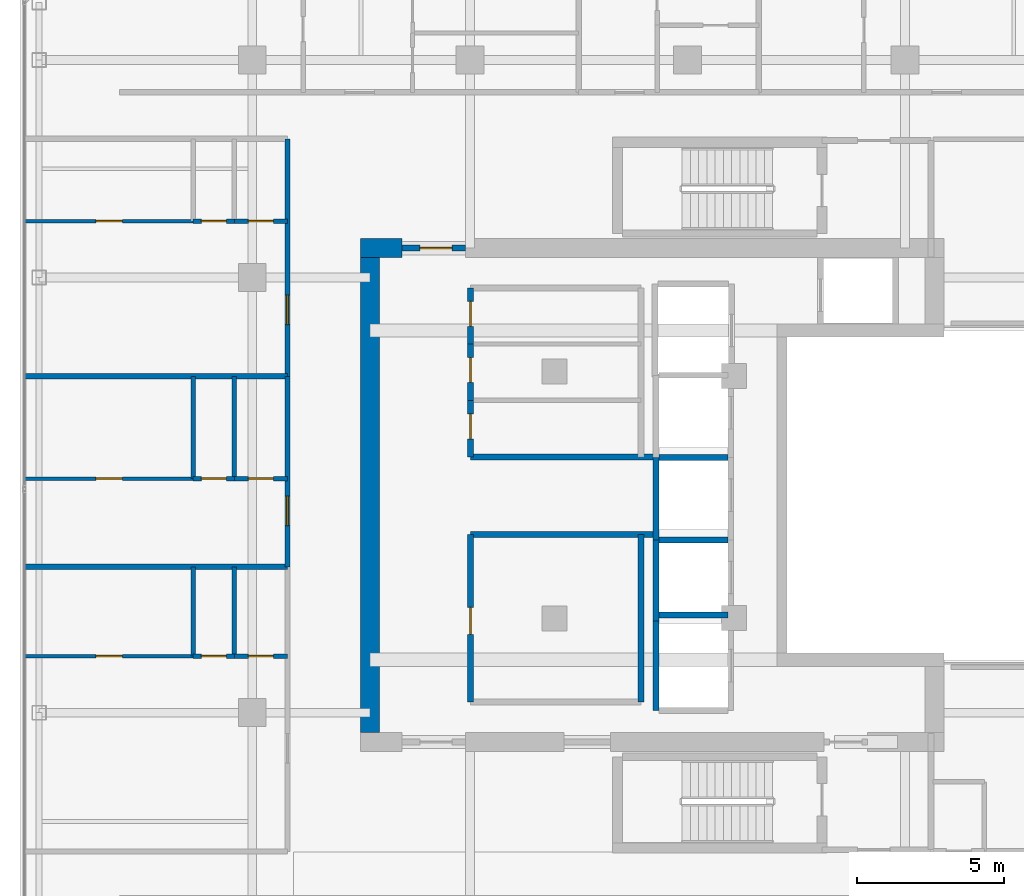
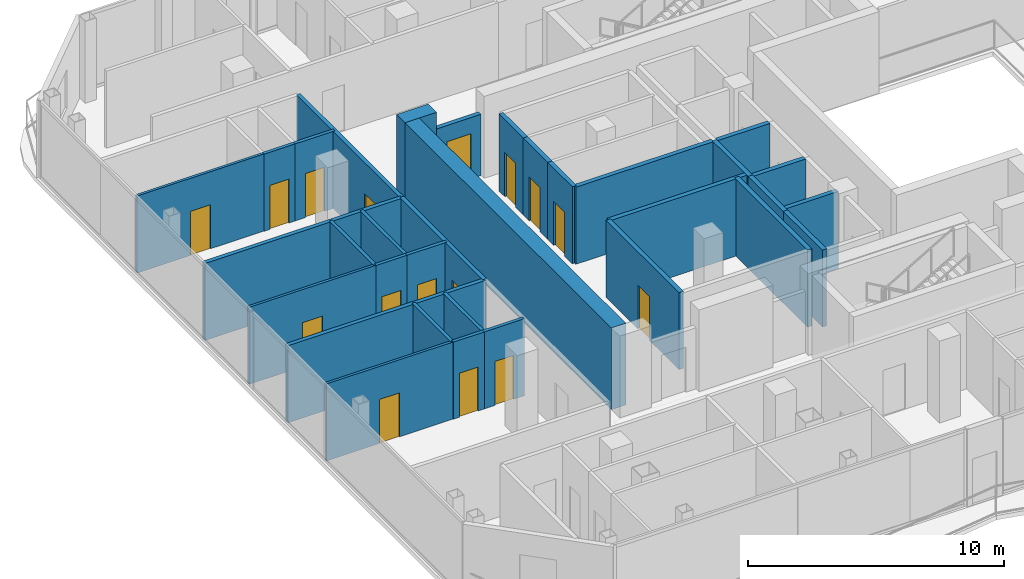
# One storey, part 17 of 23: 33 walls, 16 doors, 16 openings.
"""IFC4 building model written with IfcOpenShell, lengths in metres."""

from ifc_helpers import new_model, si_unit, direction, frame, frame_2d, origin, place, context, subcontext, project, spatial, rectangle, extrude, material, layer, layer_set, type_object, element, fill, save


model = new_model("IFC4")

# Units and contexts
model_context = context("Model", 3, precision=1e-05, world=origin(), true_north=direction((0.0, 1.0)))
body_context = subcontext(model_context, "Body", "Model", "MODEL_VIEW")
ifc_project = project(units=[si_unit("LENGTHUNIT", "METRE"), si_unit("AREAUNIT", "SQUARE_METRE"), si_unit("VOLUMEUNIT", "CUBIC_METRE"), si_unit("PLANEANGLEUNIT", "RADIAN"), si_unit("MASSUNIT", "GRAM", prefix="KILO")], contexts=[model_context])

# Site, building, storey
site_placement = place(None, origin())
site = spatial("IfcSite", under=ifc_project, at=site_placement, CompositionType="ELEMENT")
building_placement = place(site_placement, origin())
building = spatial("IfcBuilding", under=site, at=building_placement, Name="Khorvyn Point Tower", CompositionType="ELEMENT")
storey_placement = place(building_placement, frame((0.0, 0.0, 293.699951171875)))
storey = spatial("IfcBuildingStorey", under=building, at=storey_placement, Name="L72", CompositionType="ELEMENT", Elevation=293.699951171875)

# Wall, opening, door
ifc_material_1 = material(Name="Double acoustic gypsum on twin steel stud", Category="steel")
ifc_layer_1 = layer(ifc_material_1, 0.179931640625)
ifc_layer_set_1 = layer_set([ifc_layer_1], Name="Acoustic Double-Stud Apartment Demising Wall 180")
wall_type_1 = type_object("IfcWallType", Name="Acoustic Double-Stud Apartment Demising Wall 180", PredefinedType="PARTITIONING", material=ifc_layer_set_1)
wall_1_placement = place(storey_placement, frame((-13.60009765625, -2.43994140625, 0.0), z_axis=(0.0, 0.0, 1.0), x_axis=(0.0, 1.0, 0.0)))
wall_1 = element("IfcWall", 1, at=wall_1_placement, inside=storey, type_object=wall_type_1, Name="Wall", PredefinedType="PARTITIONING", context=body_context, shape_type="SweptSolid", body=[
    extrude(rectangle(XDim=6.47998046875, YDim=0.179931640625, at=frame_2d((3.239990234375, 0.0))), origin(), (0.0, 0.0, 1.0), 3.679931640625),
])
opening_1_placement = place(wall_1_placement, frame((1.405517578125, 0.0, 0.0)))
opening_1 = element("IfcOpeningElement", 2, at=opening_1_placement, cuts=wall_1, Name="Opening ID-AP60", PredefinedType="OPENING", context=body_context, shape_type="SweptSolid", body=[
    extrude(rectangle(XDim=1.0, YDim=2.199951171875, at=frame_2d((0.5, 1.10009765625))), frame((0.0, 0.099853515625, 0.0), z_axis=(0.0, -1.0, 0.0), x_axis=(1.0, 0.0, 0.0)), (0.0, 0.0, 1.0), 0.199951171875),
])
ifc_material_2 = material(Name="Engineered hardwood fire-rated leaf", Category="wood")
door_type_1 = type_object("IfcDoorType", Name="Acoustic Solid-Core Timber Apartment Entrance Door 1000x2200", OperationType="NOTDEFINED", PredefinedType="DOOR", material=ifc_material_2)
door_1_placement = place(opening_1_placement, origin())
door_1 = element("IfcDoor", 3, at=door_1_placement, inside=storey, type_object=door_type_1, Name="Door", OperationType="SINGLE_SWING_RIGHT", OverallHeight=2.199951171875, OverallWidth=1.0, PredefinedType="DOOR", context=body_context, shape_type="SweptSolid", body=[
    extrude(rectangle(XDim=1.0, YDim=2.199951171875, at=frame_2d((0.5, 1.10009765625))), frame((0.0, 0.02490234375, 0.0), z_axis=(0.0, -1.0, 0.0), x_axis=(1.0, 0.0, 0.0)), (0.0, 0.0, 1.0), 0.050048828125),
])
fill(opening_1, door_1)

wall_2_placement = place(storey_placement, frame((-13.60009765625, 4.0400390625, 0.0), z_axis=(0.0, 0.0, 1.0), x_axis=(0.0, 1.0, 0.0)))
wall_2 = element("IfcWall", 4, at=wall_2_placement, inside=storey, type_object=wall_type_1, Name="Wall", PredefinedType="PARTITIONING", context=body_context, shape_type="SweptSolid", body=[
    extrude(rectangle(XDim=8.080078125, YDim=0.179931640625, at=frame_2d((4.0400390625, 0.0))), origin(), (0.0, 0.0, 1.0), 3.679931640625),
])
opening_2_placement = place(wall_2_placement, frame((1.760986328125, 0.0, 0.0)))
opening_2 = element("IfcOpeningElement", 5, at=opening_2_placement, cuts=wall_2, Name="Opening ID-AP60", PredefinedType="OPENING", context=body_context, shape_type="SweptSolid", body=[
    extrude(rectangle(XDim=1.0, YDim=2.199951171875, at=frame_2d((0.5, 1.10009765625))), frame((0.0, 0.099853515625, 0.0), z_axis=(0.0, -1.0, 0.0), x_axis=(1.0, 0.0, 0.0)), (0.0, 0.0, 1.0), 0.199951171875),
])
door_2_placement = place(opening_2_placement, origin())
door_2 = element("IfcDoor", 6, at=door_2_placement, inside=storey, type_object=door_type_1, Name="Door", OperationType="SINGLE_SWING_RIGHT", OverallHeight=2.199951171875, OverallWidth=1.0, PredefinedType="DOOR", context=body_context, shape_type="SweptSolid", body=[
    extrude(rectangle(XDim=1.0, YDim=2.199951171875, at=frame_2d((0.5, 1.10009765625))), frame((0.0, 0.02490234375, 0.0), z_axis=(0.0, -1.0, 0.0), x_axis=(1.0, 0.0, 0.0)), (0.0, 0.0, 1.0), 0.050048828125),
])
fill(opening_2, door_2)

# Walls
for number, where, z_axis, x_axis, name in (
    (7, (-22.530029296875, -2.43994140625, 0.0), (0.0, 0.0, 1.0), (1.0, 0.0, 0.0), "Wall"),
    (8, (-22.530029296875, 4.0400390625, 0.0), (0.0, 0.0, 1.0), (1.0, 0.0, 0.0), "Wall"),
):
    element("IfcWall", number, at=place(storey_placement, frame(where, z_axis=z_axis, x_axis=x_axis)), inside=storey, type_object=wall_type_1, Name=name, PredefinedType="PARTITIONING", context=body_context, shape_type="SweptSolid", body=[
        extrude(rectangle(XDim=8.929931640625, YDim=0.179931640625, at=frame_2d((4.46484375, 0.0))), origin(), (0.0, 0.0, 1.0), 3.679931640625),
    ])
ifc_material_3 = material(Name="Concrete C40/50", Category="concrete")
ifc_layer_2 = layer(ifc_material_3, 0.64990234375)
ifc_layer_set_2 = layer_set([ifc_layer_2], Name="Concrete C40/50 Core Shear Wall 650")
wall_type_2 = type_object("IfcWallType", Name="Concrete C40/50 Core Shear Wall 650", PredefinedType="SHEAR", material=ifc_layer_set_2)
wall_3_placement = place(storey_placement, frame((-11.125, 8.39990234375, 0.0), z_axis=(0.0, 0.0, 1.0), x_axis=(1.0, 0.0, 0.0)))
element("IfcWall", 9, at=wall_3_placement, inside=storey, type_object=wall_type_2, Name="Wall", PredefinedType="SHEAR", context=body_context, shape_type="SweptSolid", body=[
    extrude(rectangle(XDim=1.425048828125, YDim=0.64990234375, at=frame_2d((0.71240234375, 0.0))), origin(), (0.0, 0.0, 1.0), 3.900146484375),
])
wall_4_placement = place(storey_placement, frame((-10.800048828125, -8.074951171875, 0.0), z_axis=(0.0, 0.0, 1.0), x_axis=(0.0, 1.0, 0.0)))
element("IfcWall", 10, at=wall_4_placement, inside=storey, type_object=wall_type_2, Name="Wall", PredefinedType="SHEAR", context=body_context, shape_type="SweptSolid", body=[
    extrude(rectangle(XDim=16.14990234375, YDim=0.64990234375, at=frame_2d((8.074951171875, 0.0))), origin(), (0.0, 0.0, 1.0), 3.900146484375),
])

# Wall, opening, door
ifc_layer_3 = layer(ifc_material_3, 0.199951171875)
ifc_layer_set_3 = layer_set([ifc_layer_3], Name="Concrete C40/50 Fire-Lobby Compartment Wall 200")
wall_type_3 = type_object("IfcWallType", Name="Concrete C40/50 Fire-Lobby Compartment Wall 200", PredefinedType="SOLIDWALL", material=ifc_layer_set_3)
wall_5_placement = place(storey_placement, frame((-9.699951171875, 8.39990234375, 0.0), z_axis=(0.0, 0.0, 1.0), x_axis=(1.0, 0.0, 0.0)))
wall_5 = element("IfcWall", 11, at=wall_5_placement, inside=storey, type_object=wall_type_3, Name="Wall", PredefinedType="SOLIDWALL", context=body_context, shape_type="SweptSolid", body=[
    extrude(rectangle(XDim=2.14990234375, YDim=0.199951171875, at=frame_2d((1.074951171875, 0.0))), origin(), (0.0, 0.0, 1.0), 2.920166015625),
])
opening_3_placement = place(wall_5_placement, frame((0.597900390625, 0.0, 0.0)))
opening_3 = element("IfcOpeningElement", 12, at=opening_3_placement, cuts=wall_5, Name="Opening ID-FL90", PredefinedType="OPENING", context=body_context, shape_type="SweptSolid", body=[
    extrude(rectangle(XDim=1.10009765625, YDim=2.14990234375, at=frame_2d((0.550048828125, 1.074951171875))), frame((0.0, 0.10986328125, 0.0), z_axis=(0.0, -1.0, 0.0), x_axis=(1.0, 0.0, 0.0)), (0.0, 0.0, 1.0), 0.219970703125),
])
ifc_material_4 = material(Name="Galvanised powder-coated steel", Category="steel")
door_type_2 = type_object("IfcDoorType", Name="Fire-Rated Steel Lobby and Stair Door 1100x2150", OperationType="NOTDEFINED", PredefinedType="DOOR", material=ifc_material_4)
door_3_placement = place(opening_3_placement, origin())
door_3 = element("IfcDoor", 13, at=door_3_placement, inside=storey, type_object=door_type_2, Name="Door", OperationType="SINGLE_SWING_LEFT", OverallHeight=2.14990234375, OverallWidth=1.10009765625, PredefinedType="DOOR", context=body_context, shape_type="SweptSolid", body=[
    extrude(rectangle(XDim=1.10009765625, YDim=2.14990234375, at=frame_2d((0.550048828125, 1.074951171875))), frame((0.0, 0.02490234375, 0.0), z_axis=(0.0, -1.0, 0.0), x_axis=(1.0, 0.0, 0.0)), (0.0, 0.0, 1.0), 0.050048828125),
])
fill(opening_3, door_3)

wall_6_placement = place(storey_placement, frame((-7.3798828125, -7.0400390625, 0.0), z_axis=(0.0, 0.0, 1.0), x_axis=(0.0, 1.0, 0.0)))
wall_6 = element("IfcWall", 14, at=wall_6_placement, inside=storey, type_object=wall_type_3, Name="Wall", PredefinedType="SOLIDWALL", context=body_context, shape_type="SweptSolid", body=[
    extrude(rectangle(XDim=5.699951171875, YDim=0.199951171875, at=frame_2d((2.85009765625, 0.0))), origin(), (0.0, 0.0, 1.0), 3.679931640625),
])
opening_4_placement = place(wall_6_placement, frame((2.30078125, 0.0, 0.0)))
opening_4 = element("IfcOpeningElement", 15, at=opening_4_placement, cuts=wall_6, Name="Opening ID-RS60", PredefinedType="OPENING", context=body_context, shape_type="SweptSolid", body=[
    extrude(rectangle(XDim=0.919921875, YDim=2.10009765625, at=frame_2d((0.4599609375, 1.050048828125))), frame((0.0, 0.10986328125, 0.0), z_axis=(0.0, -1.0, 0.0), x_axis=(1.0, 0.0, 0.0)), (0.0, 0.0, 1.0), 0.219970703125),
])
door_type_3 = type_object("IfcDoorType", Name="Fire-Rated Riser and Store Steel Door 920x2100", OperationType="NOTDEFINED", PredefinedType="DOOR", material=ifc_material_4)
door_4_placement = place(opening_4_placement, origin())
door_4 = element("IfcDoor", 16, at=door_4_placement, inside=storey, type_object=door_type_3, Name="Door", OperationType="SINGLE_SWING_RIGHT", OverallHeight=2.10009765625, OverallWidth=0.919921875, PredefinedType="DOOR", context=body_context, shape_type="SweptSolid", body=[
    extrude(rectangle(XDim=0.919921875, YDim=2.10009765625, at=frame_2d((0.4599609375, 1.050048828125))), frame((0.0, 0.02490234375, 0.0), z_axis=(0.0, -1.0, 0.0), x_axis=(1.0, 0.0, 0.0)), (0.0, 0.0, 1.0), 0.050048828125),
])
fill(opening_4, door_4)

wall_7_placement = place(storey_placement, frame((-7.3798828125, 1.300048828125, 0.0), z_axis=(0.0, 0.0, 1.0), x_axis=(0.0, 1.0, 0.0)))
wall_7 = element("IfcWall", 17, at=wall_7_placement, inside=storey, type_object=wall_type_3, Name="Wall", PredefinedType="SOLIDWALL", context=body_context, shape_type="SweptSolid", body=[
    extrude(rectangle(XDim=1.919921875, YDim=0.199951171875, at=frame_2d((0.9599609375, 0.0))), origin(), (0.0, 0.0, 1.0), 3.679931640625),
])
opening_5_placement = place(wall_7_placement, frame((0.610107421875, 0.0, 0.0)))
opening_5 = element("IfcOpeningElement", 18, at=opening_5_placement, cuts=wall_7, Name="Opening ID-WC85", PredefinedType="OPENING", context=body_context, shape_type="SweptSolid", body=[
    extrude(rectangle(XDim=0.85009765625, YDim=2.10009765625, at=frame_2d((0.425048828125, 1.050048828125))), frame((0.0, 0.10986328125, 0.0), z_axis=(0.0, -1.0, 0.0), x_axis=(1.0, 0.0, 0.0)), (0.0, 0.0, 1.0), 0.219970703125),
])
ifc_material_5 = material(Name="High-pressure laminate on moisture-resistant core", Category="wood")
door_type_4 = type_object("IfcDoorType", Name="Moisture-Resistant Accessible Washroom Door 850x2100", OperationType="NOTDEFINED", PredefinedType="DOOR", material=ifc_material_5)
door_5_placement = place(opening_5_placement, origin())
door_5 = element("IfcDoor", 19, at=door_5_placement, inside=storey, type_object=door_type_4, Name="Door", OperationType="SINGLE_SWING_LEFT", OverallHeight=2.10009765625, OverallWidth=0.85009765625, PredefinedType="DOOR", context=body_context, shape_type="SweptSolid", body=[
    extrude(rectangle(XDim=0.85009765625, YDim=2.10009765625, at=frame_2d((0.425048828125, 1.050048828125))), frame((0.0, 0.02490234375, 0.0), z_axis=(0.0, -1.0, 0.0), x_axis=(1.0, 0.0, 0.0)), (0.0, 0.0, 1.0), 0.050048828125),
])
fill(opening_5, door_5)

wall_8_placement = place(storey_placement, frame((-7.3798828125, 3.219970703125, 0.0), z_axis=(0.0, 0.0, 1.0), x_axis=(0.0, 1.0, 0.0)))
wall_8 = element("IfcWall", 20, at=wall_8_placement, inside=storey, type_object=wall_type_3, Name="Wall", PredefinedType="SOLIDWALL", context=body_context, shape_type="SweptSolid", body=[
    extrude(rectangle(XDim=1.919921875, YDim=0.199951171875, at=frame_2d((0.9599609375, 0.0))), origin(), (0.0, 0.0, 1.0), 3.679931640625),
])
opening_6_placement = place(wall_8_placement, frame((0.610107421875, 0.0, 0.0)))
opening_6 = element("IfcOpeningElement", 21, at=opening_6_placement, cuts=wall_8, Name="Opening ID-WC85", PredefinedType="OPENING", context=body_context, shape_type="SweptSolid", body=[
    extrude(rectangle(XDim=0.85009765625, YDim=2.10009765625, at=frame_2d((0.425048828125, 1.050048828125))), frame((0.0, 0.10986328125, 0.0), z_axis=(0.0, -1.0, 0.0), x_axis=(1.0, 0.0, 0.0)), (0.0, 0.0, 1.0), 0.219970703125),
])
door_6_placement = place(opening_6_placement, origin())
door_6 = element("IfcDoor", 22, at=door_6_placement, inside=storey, type_object=door_type_4, Name="Door", OperationType="SINGLE_SWING_RIGHT", OverallHeight=2.10009765625, OverallWidth=0.85009765625, PredefinedType="DOOR", context=body_context, shape_type="SweptSolid", body=[
    extrude(rectangle(XDim=0.85009765625, YDim=2.10009765625, at=frame_2d((0.425048828125, 1.050048828125))), frame((0.0, 0.02490234375, 0.0), z_axis=(0.0, -1.0, 0.0), x_axis=(1.0, 0.0, 0.0)), (0.0, 0.0, 1.0), 0.050048828125),
])
fill(opening_6, door_6)

wall_9_placement = place(storey_placement, frame((-7.3798828125, 5.139892578125, 0.0), z_axis=(0.0, 0.0, 1.0), x_axis=(0.0, 1.0, 0.0)))
wall_9 = element("IfcWall", 23, at=wall_9_placement, inside=storey, type_object=wall_type_3, Name="Wall", PredefinedType="SOLIDWALL", context=body_context, shape_type="SweptSolid", body=[
    extrude(rectangle(XDim=1.900146484375, YDim=0.199951171875, at=frame_2d((0.9501953125, 0.0))), origin(), (0.0, 0.0, 1.0), 3.679931640625),
])
opening_7_placement = place(wall_9_placement, frame((0.597900390625, 0.0, 0.0)))
opening_7 = element("IfcOpeningElement", 24, at=opening_7_placement, cuts=wall_9, Name="Opening ID-WC85", PredefinedType="OPENING", context=body_context, shape_type="SweptSolid", body=[
    extrude(rectangle(XDim=0.85009765625, YDim=2.10009765625, at=frame_2d((0.425048828125, 1.050048828125))), frame((0.0, 0.10986328125, 0.0), z_axis=(0.0, -1.0, 0.0), x_axis=(1.0, 0.0, 0.0)), (0.0, 0.0, 1.0), 0.219970703125),
])
door_7_placement = place(opening_7_placement, origin())
door_7 = element("IfcDoor", 25, at=door_7_placement, inside=storey, type_object=door_type_4, Name="Door", OperationType="SINGLE_SWING_LEFT", OverallHeight=2.10009765625, OverallWidth=0.85009765625, PredefinedType="DOOR", context=body_context, shape_type="SweptSolid", body=[
    extrude(rectangle(XDim=0.85009765625, YDim=2.10009765625, at=frame_2d((0.425048828125, 1.050048828125))), frame((0.0, 0.02490234375, 0.0), z_axis=(0.0, -1.0, 0.0), x_axis=(1.0, 0.0, 0.0)), (0.0, 0.0, 1.0), 0.050048828125),
])
fill(opening_7, door_7)

# Walls
for number, where, z_axis, x_axis, name in (
    (26, (-7.3798828125, -1.340087890625, 0.0), (0.0, 0.0, 1.0), (1.0, 0.0, 0.0), "Wall"),
    (27, (-7.3798828125, 1.300048828125, 0.0), (0.0, 0.0, 1.0), (1.0, 0.0, 0.0), "Wall"),
):
    element("IfcWall", number, at=place(storey_placement, frame(where, z_axis=z_axis, x_axis=x_axis)), inside=storey, type_object=wall_type_3, Name=name, PredefinedType="SOLIDWALL", context=body_context, shape_type="SweptSolid", body=[
        extrude(rectangle(XDim=6.239990234375, YDim=0.199951171875, at=frame_2d((3.1201171875, 0.0))), origin(), (0.0, 0.0, 1.0), 3.679931640625),
    ])
wall_10_placement = place(storey_placement, frame((-1.580078125, -7.0400390625, 0.0), z_axis=(0.0, 0.0, 1.0), x_axis=(0.0, 1.0, 0.0)))
element("IfcWall", 28, at=wall_10_placement, inside=storey, type_object=wall_type_3, Name="Wall", PredefinedType="SOLIDWALL", context=body_context, shape_type="SweptSolid", body=[
    extrude(rectangle(XDim=5.699951171875, YDim=0.199951171875, at=frame_2d((2.85009765625, 0.0))), origin(), (0.0, 0.0, 1.0), 3.679931640625),
])
ifc_layer_4 = layer(ifc_material_3, 0.199951171875)
ifc_layer_set_4 = layer_set([ifc_layer_4], Name="Concrete C40/50 Structural Hoistway and Stair Shaft Wall 200")
wall_type_4 = type_object("IfcWallType", Name="Concrete C40/50 Structural Hoistway and Stair Shaft Wall 200", PredefinedType="SHEAR", material=ifc_layer_set_4)
wall_11_placement = place(storey_placement, frame((-1.074951171875, -4.27490234375, 0.0), z_axis=(0.0, 0.0, 1.0), x_axis=(0.0, 1.0, 0.0)))
element("IfcWall", 29, at=wall_11_placement, inside=storey, type_object=wall_type_4, Name="Wall", PredefinedType="SHEAR", context=body_context, shape_type="SweptSolid", body=[
    extrude(rectangle(XDim=2.75, YDim=0.199951171875, at=frame_2d((1.375, 0.0))), origin(), (0.0, 0.0, 1.0), 3.679931640625),
])
for number, where, z_axis, x_axis, name in (
    (30, (-0.97509765625, -4.074951171875, 0.0), (0.0, 0.0, 1.0), (1.0, 0.0, 0.0), "Wall"),
    (31, (-0.97509765625, -1.52490234375, 0.0), (0.0, 0.0, 1.0), (1.0, 0.0, 0.0), "Wall"),
):
    element("IfcWall", number, at=place(storey_placement, frame(where, z_axis=z_axis, x_axis=x_axis)), inside=storey, type_object=wall_type_4, Name=name, PredefinedType="SHEAR", context=body_context, shape_type="SweptSolid", body=[
        extrude(rectangle(XDim=2.35009765625, YDim=0.199951171875, at=frame_2d((1.175048828125, 0.0))), origin(), (0.0, 0.0, 1.0), 3.679931640625),
    ])
wall_12_placement = place(storey_placement, frame((-1.074951171875, -1.52490234375, 0.0), z_axis=(0.0, 0.0, 1.0), x_axis=(0.0, 1.0, 0.0)))
element("IfcWall", 32, at=wall_12_placement, inside=storey, type_object=wall_type_4, Name="Wall", PredefinedType="SHEAR", context=body_context, shape_type="SweptSolid", body=[
    extrude(rectangle(XDim=2.7998046875, YDim=0.199951171875, at=frame_2d((1.39990234375, 0.0))), origin(), (0.0, 0.0, 1.0), 3.679931640625),
])
wall_13_placement = place(storey_placement, frame((-0.97509765625, 1.27490234375, 0.0), z_axis=(0.0, 0.0, 1.0), x_axis=(1.0, 0.0, 0.0)))
element("IfcWall", 33, at=wall_13_placement, inside=storey, type_object=wall_type_4, Name="Wall", PredefinedType="SHEAR", context=body_context, shape_type="SweptSolid", body=[
    extrude(rectangle(XDim=2.35009765625, YDim=0.199951171875, at=frame_2d((1.175048828125, 0.0))), origin(), (0.0, 0.0, 1.0), 3.679931640625),
])
wall_14_placement = place(storey_placement, frame((-1.074951171875, -7.324951171875, 0.0), z_axis=(0.0, 0.0, 1.0), x_axis=(0.0, 1.0, 0.0)))
element("IfcWall", 34, at=wall_14_placement, inside=storey, type_object=wall_type_4, Name="Wall", PredefinedType="SHEAR", context=body_context, shape_type="SweptSolid", body=[
    extrude(rectangle(XDim=3.050048828125, YDim=0.199951171875, at=frame_2d((1.52490234375, 0.0))), origin(), (0.0, 0.0, 1.0), 3.679931640625),
])

# Wall, opening, door
ifc_material_6 = material(Name="Gypsum plasterboard on steel stud", Category="steel")
ifc_layer_5 = layer(ifc_material_6, 0.1201171875)
ifc_layer_set_5 = layer_set([ifc_layer_5], Name="Gypsum Acoustic Stud Room Partition Wall 120")
wall_type_5 = type_object("IfcWallType", Name="Gypsum Acoustic Stud Room Partition Wall 120", PredefinedType="PARTITIONING", material=ifc_layer_set_5)
wall_15_placement = place(storey_placement, frame((-22.530029296875, -5.47509765625, 0.0), z_axis=(0.0, 0.0, 1.0), x_axis=(1.0, 0.0, 0.0)))
wall_15 = element("IfcWall", 35, at=wall_15_placement, inside=storey, type_object=wall_type_5, Name="Wall", PredefinedType="PARTITIONING", context=body_context, shape_type="SweptSolid", body=[
    extrude(rectangle(XDim=5.720947265625, YDim=0.1201171875, at=frame_2d((2.8603515625, 0.0))), origin(), (0.0, 0.0, 1.0), 3.679931640625),
])
opening_8_placement = place(wall_15_placement, frame((2.410400390625, 0.0, 0.0)))
opening_8 = element("IfcOpeningElement", 36, at=opening_8_placement, cuts=wall_15, Name="Opening ID-RM90", PredefinedType="OPENING", context=body_context, shape_type="SweptSolid", body=[
    extrude(rectangle(XDim=0.89990234375, YDim=2.10009765625, at=frame_2d((0.449951171875, 1.050048828125))), frame((0.0, 0.070068359375, 0.0), z_axis=(0.0, -1.0, 0.0), x_axis=(1.0, 0.0, 0.0)), (0.0, 0.0, 1.0), 0.14013671875),
])
ifc_material_7 = material(Name="Engineered oak veneer timber", Category="wood")
door_type_5 = type_object("IfcDoorType", Name="Flush Engineered Timber Room Door 900x2100", OperationType="NOTDEFINED", PredefinedType="DOOR", material=ifc_material_7)
door_8_placement = place(opening_8_placement, origin())
door_8 = element("IfcDoor", 37, at=door_8_placement, inside=storey, type_object=door_type_5, Name="Door", OperationType="SINGLE_SWING_LEFT", OverallHeight=2.10009765625, OverallWidth=0.89990234375, PredefinedType="DOOR", context=body_context, shape_type="SweptSolid", body=[
    extrude(rectangle(XDim=0.89990234375, YDim=2.10009765625, at=frame_2d((0.449951171875, 1.050048828125))), frame((0.0, 0.02490234375, 0.0), z_axis=(0.0, -1.0, 0.0), x_axis=(1.0, 0.0, 0.0)), (0.0, 0.0, 1.0), 0.050048828125),
])
fill(opening_8, door_8)

wall_16_placement = place(storey_placement, frame((-22.530029296875, 0.56005859375, 0.0), z_axis=(0.0, 0.0, 1.0), x_axis=(1.0, 0.0, 0.0)))
wall_16 = element("IfcWall", 38, at=wall_16_placement, inside=storey, type_object=wall_type_5, Name="Wall", PredefinedType="PARTITIONING", context=body_context, shape_type="SweptSolid", body=[
    extrude(rectangle(XDim=5.720947265625, YDim=0.1201171875, at=frame_2d((2.8603515625, 0.0))), origin(), (0.0, 0.0, 1.0), 3.679931640625),
])
opening_9_placement = place(wall_16_placement, frame((2.410400390625, 0.0, 0.0)))
opening_9 = element("IfcOpeningElement", 39, at=opening_9_placement, cuts=wall_16, Name="Opening ID-RM90", PredefinedType="OPENING", context=body_context, shape_type="SweptSolid", body=[
    extrude(rectangle(XDim=0.89990234375, YDim=2.10009765625, at=frame_2d((0.449951171875, 1.050048828125))), frame((0.0, 0.070068359375, 0.0), z_axis=(0.0, -1.0, 0.0), x_axis=(1.0, 0.0, 0.0)), (0.0, 0.0, 1.0), 0.14013671875),
])
door_9_placement = place(opening_9_placement, origin())
door_9 = element("IfcDoor", 40, at=door_9_placement, inside=storey, type_object=door_type_5, Name="Door", OperationType="SINGLE_SWING_LEFT", OverallHeight=2.10009765625, OverallWidth=0.89990234375, PredefinedType="DOOR", context=body_context, shape_type="SweptSolid", body=[
    extrude(rectangle(XDim=0.89990234375, YDim=2.10009765625, at=frame_2d((0.449951171875, 1.050048828125))), frame((0.0, 0.02490234375, 0.0), z_axis=(0.0, -1.0, 0.0), x_axis=(1.0, 0.0, 0.0)), (0.0, 0.0, 1.0), 0.050048828125),
])
fill(opening_9, door_9)

wall_17_placement = place(storey_placement, frame((-22.530029296875, 9.320068359375, 0.0), z_axis=(0.0, 0.0, 1.0), x_axis=(1.0, 0.0, 0.0)))
wall_17 = element("IfcWall", 41, at=wall_17_placement, inside=storey, type_object=wall_type_5, Name="Wall", PredefinedType="PARTITIONING", context=body_context, shape_type="SweptSolid", body=[
    extrude(rectangle(XDim=5.720947265625, YDim=0.1201171875, at=frame_2d((2.8603515625, 0.0))), origin(), (0.0, 0.0, 1.0), 3.679931640625),
])
opening_10_placement = place(wall_17_placement, frame((2.410400390625, 0.0, 0.0)))
opening_10 = element("IfcOpeningElement", 42, at=opening_10_placement, cuts=wall_17, Name="Opening ID-RM90", PredefinedType="OPENING", context=body_context, shape_type="SweptSolid", body=[
    extrude(rectangle(XDim=0.89990234375, YDim=2.10009765625, at=frame_2d((0.449951171875, 1.050048828125))), frame((0.0, 0.070068359375, 0.0), z_axis=(0.0, -1.0, 0.0), x_axis=(1.0, 0.0, 0.0)), (0.0, 0.0, 1.0), 0.14013671875),
])
door_10_placement = place(opening_10_placement, origin())
door_10 = element("IfcDoor", 43, at=door_10_placement, inside=storey, type_object=door_type_5, Name="Door", OperationType="SINGLE_SWING_LEFT", OverallHeight=2.10009765625, OverallWidth=0.89990234375, PredefinedType="DOOR", context=body_context, shape_type="SweptSolid", body=[
    extrude(rectangle(XDim=0.89990234375, YDim=2.10009765625, at=frame_2d((0.449951171875, 1.050048828125))), frame((0.0, 0.02490234375, 0.0), z_axis=(0.0, -1.0, 0.0), x_axis=(1.0, 0.0, 0.0)), (0.0, 0.0, 1.0), 0.050048828125),
])
fill(opening_10, door_10)

ifc_material_8 = material(Name="Moisture-resistant gypsum and cement board", Category="gypsum")
ifc_layer_6 = layer(ifc_material_8, 0.14990234375)
ifc_layer_set_6 = layer_set([ifc_layer_6], Name="Moisture-Resistant Wet-Room Partition Wall 150")
wall_type_6 = type_object("IfcWallType", Name="Moisture-Resistant Wet-Room Partition Wall 150", PredefinedType="PARTITIONING", material=ifc_layer_set_6)
wall_18_placement = place(storey_placement, frame((-16.80908203125, -5.47509765625, 0.0), z_axis=(0.0, 0.0, 1.0), x_axis=(1.0, 0.0, 0.0)))
wall_18 = element("IfcWall", 44, at=wall_18_placement, inside=storey, type_object=wall_type_6, Name="Wall", PredefinedType="PARTITIONING", context=body_context, shape_type="SweptSolid", body=[
    extrude(rectangle(XDim=1.400146484375, YDim=0.14990234375, at=frame_2d((0.7001953125, 0.0))), origin(), (0.0, 0.0, 1.0), 3.679931640625),
])
opening_11_placement = place(wall_18_placement, frame((0.27490234375, 0.0, 0.0)))
opening_11 = element("IfcOpeningElement", 45, at=opening_11_placement, cuts=wall_18, Name="Opening ID-WC85", PredefinedType="OPENING", context=body_context, shape_type="SweptSolid", body=[
    extrude(rectangle(XDim=0.85009765625, YDim=2.10009765625, at=frame_2d((0.425048828125, 1.050048828125))), frame((0.0, 0.0849609375, 0.0), z_axis=(0.0, -1.0, 0.0), x_axis=(1.0, 0.0, 0.0)), (0.0, 0.0, 1.0), 0.169921875),
])
door_11_placement = place(opening_11_placement, origin())
door_11 = element("IfcDoor", 46, at=door_11_placement, inside=storey, type_object=door_type_4, Name="Door", OperationType="SINGLE_SWING_LEFT", OverallHeight=2.10009765625, OverallWidth=0.85009765625, PredefinedType="DOOR", context=body_context, shape_type="SweptSolid", body=[
    extrude(rectangle(XDim=0.85009765625, YDim=2.10009765625, at=frame_2d((0.425048828125, 1.050048828125))), frame((0.0, 0.02490234375, 0.0), z_axis=(0.0, -1.0, 0.0), x_axis=(1.0, 0.0, 0.0)), (0.0, 0.0, 1.0), 0.050048828125),
])
fill(opening_11, door_11)

wall_19_placement = place(storey_placement, frame((-15.408935546875, -5.47509765625, 0.0), z_axis=(0.0, 0.0, 1.0), x_axis=(1.0, 0.0, 0.0)))
wall_19 = element("IfcWall", 47, at=wall_19_placement, inside=storey, type_object=wall_type_6, Name="Wall", PredefinedType="PARTITIONING", context=body_context, shape_type="SweptSolid", body=[
    extrude(rectangle(XDim=1.808837890625, YDim=0.14990234375, at=frame_2d((0.904296875, 0.0))), origin(), (0.0, 0.0, 1.0), 3.679931640625),
])
opening_12_placement = place(wall_19_placement, frame((0.4794921875, 0.0, 0.0)))
opening_12 = element("IfcOpeningElement", 48, at=opening_12_placement, cuts=wall_19, Name="Opening ID-WC85", PredefinedType="OPENING", context=body_context, shape_type="SweptSolid", body=[
    extrude(rectangle(XDim=0.85009765625, YDim=2.10009765625, at=frame_2d((0.425048828125, 1.050048828125))), frame((0.0, 0.0849609375, 0.0), z_axis=(0.0, -1.0, 0.0), x_axis=(1.0, 0.0, 0.0)), (0.0, 0.0, 1.0), 0.169921875),
])
door_12_placement = place(opening_12_placement, origin())
door_12 = element("IfcDoor", 49, at=door_12_placement, inside=storey, type_object=door_type_4, Name="Door", OperationType="SINGLE_SWING_RIGHT", OverallHeight=2.10009765625, OverallWidth=0.85009765625, PredefinedType="DOOR", context=body_context, shape_type="SweptSolid", body=[
    extrude(rectangle(XDim=0.85009765625, YDim=2.10009765625, at=frame_2d((0.425048828125, 1.050048828125))), frame((0.0, 0.02490234375, 0.0), z_axis=(0.0, -1.0, 0.0), x_axis=(1.0, 0.0, 0.0)), (0.0, 0.0, 1.0), 0.050048828125),
])
fill(opening_12, door_12)

wall_20_placement = place(storey_placement, frame((-16.80908203125, 0.56005859375, 0.0), z_axis=(0.0, 0.0, 1.0), x_axis=(1.0, 0.0, 0.0)))
wall_20 = element("IfcWall", 50, at=wall_20_placement, inside=storey, type_object=wall_type_6, Name="Wall", PredefinedType="PARTITIONING", context=body_context, shape_type="SweptSolid", body=[
    extrude(rectangle(XDim=1.400146484375, YDim=0.14990234375, at=frame_2d((0.7001953125, 0.0))), origin(), (0.0, 0.0, 1.0), 3.679931640625),
])
opening_13_placement = place(wall_20_placement, frame((0.27490234375, 0.0, 0.0)))
opening_13 = element("IfcOpeningElement", 51, at=opening_13_placement, cuts=wall_20, Name="Opening ID-WC85", PredefinedType="OPENING", context=body_context, shape_type="SweptSolid", body=[
    extrude(rectangle(XDim=0.85009765625, YDim=2.10009765625, at=frame_2d((0.425048828125, 1.050048828125))), frame((0.0, 0.0849609375, 0.0), z_axis=(0.0, -1.0, 0.0), x_axis=(1.0, 0.0, 0.0)), (0.0, 0.0, 1.0), 0.169921875),
])
door_13_placement = place(opening_13_placement, origin())
door_13 = element("IfcDoor", 52, at=door_13_placement, inside=storey, type_object=door_type_4, Name="Door", OperationType="SINGLE_SWING_LEFT", OverallHeight=2.10009765625, OverallWidth=0.85009765625, PredefinedType="DOOR", context=body_context, shape_type="SweptSolid", body=[
    extrude(rectangle(XDim=0.85009765625, YDim=2.10009765625, at=frame_2d((0.425048828125, 1.050048828125))), frame((0.0, 0.02490234375, 0.0), z_axis=(0.0, -1.0, 0.0), x_axis=(1.0, 0.0, 0.0)), (0.0, 0.0, 1.0), 0.050048828125),
])
fill(opening_13, door_13)

wall_21_placement = place(storey_placement, frame((-15.408935546875, 0.56005859375, 0.0), z_axis=(0.0, 0.0, 1.0), x_axis=(1.0, 0.0, 0.0)))
wall_21 = element("IfcWall", 53, at=wall_21_placement, inside=storey, type_object=wall_type_6, Name="Wall", PredefinedType="PARTITIONING", context=body_context, shape_type="SweptSolid", body=[
    extrude(rectangle(XDim=1.808837890625, YDim=0.14990234375, at=frame_2d((0.904296875, 0.0))), origin(), (0.0, 0.0, 1.0), 3.679931640625),
])
opening_14_placement = place(wall_21_placement, frame((0.4794921875, 0.0, 0.0)))
opening_14 = element("IfcOpeningElement", 54, at=opening_14_placement, cuts=wall_21, Name="Opening ID-WC85", PredefinedType="OPENING", context=body_context, shape_type="SweptSolid", body=[
    extrude(rectangle(XDim=0.85009765625, YDim=2.10009765625, at=frame_2d((0.425048828125, 1.050048828125))), frame((0.0, 0.0849609375, 0.0), z_axis=(0.0, -1.0, 0.0), x_axis=(1.0, 0.0, 0.0)), (0.0, 0.0, 1.0), 0.169921875),
])
door_14_placement = place(opening_14_placement, origin())
door_14 = element("IfcDoor", 55, at=door_14_placement, inside=storey, type_object=door_type_4, Name="Door", OperationType="SINGLE_SWING_RIGHT", OverallHeight=2.10009765625, OverallWidth=0.85009765625, PredefinedType="DOOR", context=body_context, shape_type="SweptSolid", body=[
    extrude(rectangle(XDim=0.85009765625, YDim=2.10009765625, at=frame_2d((0.425048828125, 1.050048828125))), frame((0.0, 0.02490234375, 0.0), z_axis=(0.0, -1.0, 0.0), x_axis=(1.0, 0.0, 0.0)), (0.0, 0.0, 1.0), 0.050048828125),
])
fill(opening_14, door_14)

wall_22_placement = place(storey_placement, frame((-16.80908203125, 9.320068359375, 0.0), z_axis=(0.0, 0.0, 1.0), x_axis=(1.0, 0.0, 0.0)))
wall_22 = element("IfcWall", 56, at=wall_22_placement, inside=storey, type_object=wall_type_6, Name="Wall", PredefinedType="PARTITIONING", context=body_context, shape_type="SweptSolid", body=[
    extrude(rectangle(XDim=1.400146484375, YDim=0.14990234375, at=frame_2d((0.7001953125, 0.0))), origin(), (0.0, 0.0, 1.0), 3.679931640625),
])
opening_15_placement = place(wall_22_placement, frame((0.27490234375, 0.0, 0.0)))
opening_15 = element("IfcOpeningElement", 57, at=opening_15_placement, cuts=wall_22, Name="Opening ID-WC85", PredefinedType="OPENING", context=body_context, shape_type="SweptSolid", body=[
    extrude(rectangle(XDim=0.85009765625, YDim=2.10009765625, at=frame_2d((0.425048828125, 1.050048828125))), frame((0.0, 0.0849609375, 0.0), z_axis=(0.0, -1.0, 0.0), x_axis=(1.0, 0.0, 0.0)), (0.0, 0.0, 1.0), 0.169921875),
])
door_15_placement = place(opening_15_placement, origin())
door_15 = element("IfcDoor", 58, at=door_15_placement, inside=storey, type_object=door_type_4, Name="Door", OperationType="SINGLE_SWING_LEFT", OverallHeight=2.10009765625, OverallWidth=0.85009765625, PredefinedType="DOOR", context=body_context, shape_type="SweptSolid", body=[
    extrude(rectangle(XDim=0.85009765625, YDim=2.10009765625, at=frame_2d((0.425048828125, 1.050048828125))), frame((0.0, 0.02490234375, 0.0), z_axis=(0.0, -1.0, 0.0), x_axis=(1.0, 0.0, 0.0)), (0.0, 0.0, 1.0), 0.050048828125),
])
fill(opening_15, door_15)

wall_23_placement = place(storey_placement, frame((-15.408935546875, 9.320068359375, 0.0), z_axis=(0.0, 0.0, 1.0), x_axis=(1.0, 0.0, 0.0)))
wall_23 = element("IfcWall", 59, at=wall_23_placement, inside=storey, type_object=wall_type_6, Name="Wall", PredefinedType="PARTITIONING", context=body_context, shape_type="SweptSolid", body=[
    extrude(rectangle(XDim=1.808837890625, YDim=0.14990234375, at=frame_2d((0.904296875, 0.0))), origin(), (0.0, 0.0, 1.0), 3.679931640625),
])
opening_16_placement = place(wall_23_placement, frame((0.4794921875, 0.0, 0.0)))
opening_16 = element("IfcOpeningElement", 60, at=opening_16_placement, cuts=wall_23, Name="Opening ID-WC85", PredefinedType="OPENING", context=body_context, shape_type="SweptSolid", body=[
    extrude(rectangle(XDim=0.85009765625, YDim=2.10009765625, at=frame_2d((0.425048828125, 1.050048828125))), frame((0.0, 0.0849609375, 0.0), z_axis=(0.0, -1.0, 0.0), x_axis=(1.0, 0.0, 0.0)), (0.0, 0.0, 1.0), 0.169921875),
])
door_16_placement = place(opening_16_placement, origin())
door_16 = element("IfcDoor", 61, at=door_16_placement, inside=storey, type_object=door_type_4, Name="Door", OperationType="SINGLE_SWING_RIGHT", OverallHeight=2.10009765625, OverallWidth=0.85009765625, PredefinedType="DOOR", context=body_context, shape_type="SweptSolid", body=[
    extrude(rectangle(XDim=0.85009765625, YDim=2.10009765625, at=frame_2d((0.425048828125, 1.050048828125))), frame((0.0, 0.02490234375, 0.0), z_axis=(0.0, -1.0, 0.0), x_axis=(1.0, 0.0, 0.0)), (0.0, 0.0, 1.0), 0.050048828125),
])
fill(opening_16, door_16)

# Walls
for number, where, z_axis, x_axis, name in (
    (62, (-15.408935546875, -5.47509765625, 0.0), (0.0, 0.0, 1.0), (0.0, 1.0, 0.0), "Wall"),
    (63, (-16.80908203125, -5.47509765625, 0.0), (0.0, 0.0, 1.0), (0.0, 1.0, 0.0), "Wall"),
):
    element("IfcWall", number, at=place(storey_placement, frame(where, z_axis=z_axis, x_axis=x_axis)), inside=storey, type_object=wall_type_6, Name=name, PredefinedType="PARTITIONING", context=body_context, shape_type="SweptSolid", body=[
        extrude(rectangle(XDim=3.03515625, YDim=0.14990234375, at=frame_2d((1.517578125, 0.0))), origin(), (0.0, 0.0, 1.0), 3.679931640625),
    ])
for number, where, z_axis, x_axis, name in (
    (64, (-15.408935546875, 0.56005859375, 0.0), (0.0, 0.0, 1.0), (0.0, 1.0, 0.0), "Wall"),
    (65, (-16.80908203125, 0.56005859375, 0.0), (0.0, 0.0, 1.0), (0.0, 1.0, 0.0), "Wall"),
):
    element("IfcWall", number, at=place(storey_placement, frame(where, z_axis=z_axis, x_axis=x_axis)), inside=storey, type_object=wall_type_6, Name=name, PredefinedType="PARTITIONING", context=body_context, shape_type="SweptSolid", body=[
        extrude(rectangle(XDim=3.47998046875, YDim=0.14990234375, at=frame_2d((1.739990234375, 0.0))), origin(), (0.0, 0.0, 1.0), 3.679931640625),
    ])

save(model, "model.ifc")
